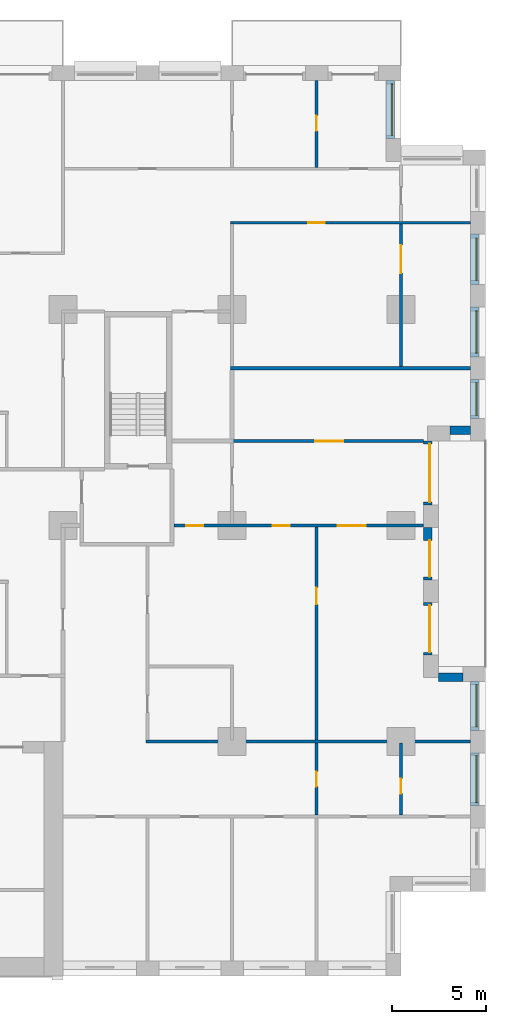
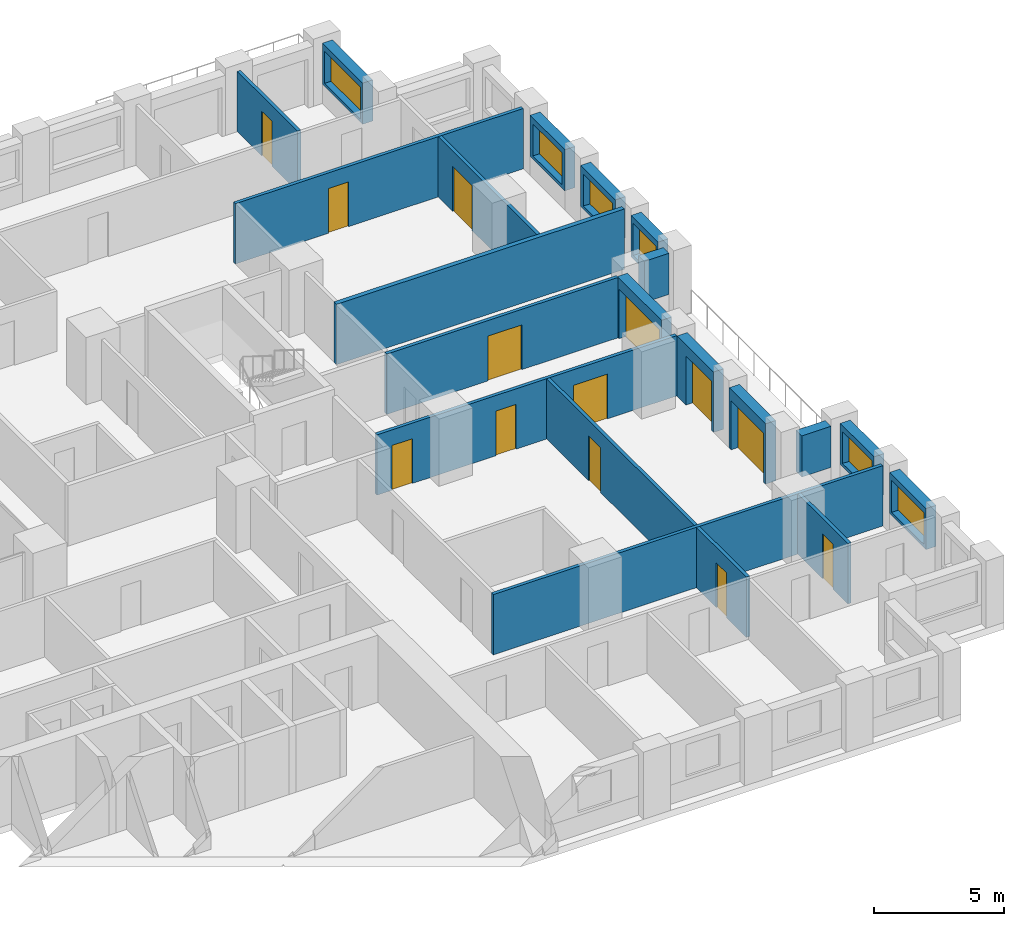
# One storey, part 16 of 19: 21 walls, 13 doors, 6 windows, 19 openings.
"""IFC4 building model written with IfcOpenShell, lengths in metres."""

from ifc_helpers import new_model, si_unit, direction, frame, frame_2d, origin, place, context, subcontext, project, spatial, rectangle, extrude, material, layer, layer_set, type_object, element, fill, save


model = new_model("IFC4")

# Units and contexts
model_context = context("Model", 3, precision=1e-05, world=origin(), true_north=direction((0.0, 1.0)))
body_context = subcontext(model_context, "Body", "Model", "MODEL_VIEW")
ifc_project = project(units=[si_unit("LENGTHUNIT", "METRE"), si_unit("AREAUNIT", "SQUARE_METRE"), si_unit("VOLUMEUNIT", "CUBIC_METRE"), si_unit("PLANEANGLEUNIT", "RADIAN"), si_unit("MASSUNIT", "GRAM", prefix="KILO")], contexts=[model_context])

# Site, building, storey
site_placement = place(None, origin())
site = spatial("IfcSite", under=ifc_project, at=site_placement, CompositionType="ELEMENT")
building_placement = place(site_placement, origin())
building = spatial("IfcBuilding", under=site, at=building_placement, Name="Brigalow Station Residences", CompositionType="ELEMENT")
storey_placement = place(building_placement, frame((0.0, 0.0, 28.949951171875)))
storey = spatial("IfcBuildingStorey", under=building, at=storey_placement, Name="L07", CompositionType="ELEMENT", Elevation=28.949951171875)

# Wall, opening, window
ifc_material_1 = material(Name="Clay brick masonry", Category="masonry")
ifc_layer_1 = layer(ifc_material_1, 0.449951171875)
ifc_layer_set_1 = layer_set([ifc_layer_1], Name="BRICK INFILL WALL 450")
wall_type_1 = type_object("IfcWallType", Name="BRICK INFILL WALL 450", PredefinedType="SOLIDWALL", material=ifc_layer_set_1)
wall_1_placement = place(storey_placement, frame((75.925048828125, 9.10009765625, 0.900146484375), z_axis=(0.0, 0.0, 1.0), x_axis=(0.0, 1.0, 0.0)))
wall_1 = element("IfcWall", 1, at=wall_1_placement, inside=storey, type_object=wall_type_1, Name="L07/ewall/W-L07-12", PredefinedType="SOLIDWALL", context=body_context, shape_type="SweptSolid", body=[
    extrude(rectangle(XDim=2.7998046875, YDim=0.449951171875, at=frame_2d((1.39990234375, 0.0))), origin(), (0.0, 0.0, 1.0), 1.929931640625),
])
opening_1_placement = place(wall_1_placement, frame((0.14990234375, 0.0, 0.14990234375)))
opening_1 = element("IfcOpeningElement", 2, at=opening_1_placement, cuts=wall_1, Name="Opening WT-5", PredefinedType="OPENING", context=body_context, shape_type="SweptSolid", body=[
    extrude(rectangle(XDim=2.5, YDim=1.5, at=frame_2d((1.25, 0.75))), frame((0.0, 0.23486328125, 0.0), z_axis=(0.0, -1.0, 0.0), x_axis=(1.0, 0.0, 0.0)), (0.0, 0.0, 1.0), 0.469970703125),
])
ifc_material_2 = material(Name="Anodised aluminium frame with double glazing", Category="aluminium")
window_type_1 = type_object("IfcWindowType", Name="WINDOW 2500x1500", PartitioningType="SINGLE_PANEL", PredefinedType="WINDOW", material=ifc_material_2)
window_1_placement = place(opening_1_placement, origin())
window_1 = element("IfcWindow", 3, at=window_1_placement, inside=storey, type_object=window_type_1, Name="L07/window/W-L07-12", OverallHeight=1.5, OverallWidth=2.5, PartitioningType="SINGLE_PANEL", PredefinedType="WINDOW", context=body_context, shape_type="SweptSolid", body=[
    extrude(rectangle(XDim=2.5, YDim=1.5, at=frame_2d((1.25, 0.75))), frame((0.0, -0.06494140625, 0.0), z_axis=(0.0, -1.0, 0.0), x_axis=(1.0, 0.0, 0.0)), (0.0, 0.0, 1.0), 0.06005859375),
])
fill(opening_1, window_1)

wall_2_placement = place(storey_placement, frame((75.925048828125, 13.10009765625, 0.900146484375), z_axis=(0.0, 0.0, 1.0), x_axis=(0.0, 1.0, 0.0)))
wall_2 = element("IfcWall", 4, at=wall_2_placement, inside=storey, type_object=wall_type_1, Name="L07/ewall/W-L07-13", PredefinedType="SOLIDWALL", context=body_context, shape_type="SweptSolid", body=[
    extrude(rectangle(XDim=2.599853515625, YDim=0.449951171875, at=frame_2d((1.2998046875, 0.0))), origin(), (0.0, 0.0, 1.0), 1.929931640625),
])
opening_2_placement = place(wall_2_placement, frame((0.175048828125, 0.0, 0.14990234375)))
opening_2 = element("IfcOpeningElement", 5, at=opening_2_placement, cuts=wall_2, Name="Opening WT-6", PredefinedType="OPENING", context=body_context, shape_type="SweptSolid", body=[
    extrude(rectangle(XDim=2.25, YDim=1.5, at=frame_2d((1.125, 0.75))), frame((0.0, 0.23486328125, 0.0), z_axis=(0.0, -1.0, 0.0), x_axis=(1.0, 0.0, 0.0)), (0.0, 0.0, 1.0), 0.469970703125),
])
ifc_material_3 = material(Name="Anodised aluminium frame with double glazing", Category="aluminium")
window_type_2 = type_object("IfcWindowType", Name="WINDOW 2250x1500", PartitioningType="SINGLE_PANEL", PredefinedType="WINDOW", material=ifc_material_3)
window_2_placement = place(opening_2_placement, origin())
window_2 = element("IfcWindow", 6, at=window_2_placement, inside=storey, type_object=window_type_2, Name="L07/window/W-L07-13", OverallHeight=1.5, OverallWidth=2.25, PartitioningType="SINGLE_PANEL", PredefinedType="WINDOW", context=body_context, shape_type="SweptSolid", body=[
    extrude(rectangle(XDim=2.25, YDim=1.5, at=frame_2d((1.125, 0.75))), frame((0.0, -0.06494140625, 0.0), z_axis=(0.0, -1.0, 0.0), x_axis=(1.0, 0.0, 0.0)), (0.0, 0.0, 1.0), 0.06005859375),
])
fill(opening_2, window_2)

# Wall
wall_3_placement = place(storey_placement, frame((75.300048828125, 15.925048828125, 0.900146484375), z_axis=(0.0, 0.0, 1.0), x_axis=(-1.0, 0.0, 0.0)))
element("IfcWall", 7, at=wall_3_placement, inside=storey, type_object=wall_type_1, Name="L07/ewall/W-L07-14", PredefinedType="SOLIDWALL", context=body_context, shape_type="SweptSolid", body=[
    extrude(rectangle(XDim=1.300048828125, YDim=0.449951171875, at=frame_2d((0.64990234375, 0.0))), origin(), (0.0, 0.0, 1.0), 1.929931640625),
])

# Wall, opening, door
wall_4_placement = place(storey_placement, frame((73.425048828125, 17.10009765625, 0.0), z_axis=(0.0, 0.0, 1.0), x_axis=(0.0, 1.0, 0.0)))
wall_4 = element("IfcWall", 8, at=wall_4_placement, inside=storey, type_object=wall_type_1, Name="L07/ewall/W-L07-15", PredefinedType="SOLIDWALL", context=body_context, shape_type="SweptSolid", body=[
    extrude(rectangle(XDim=2.7998046875, YDim=0.449951171875, at=frame_2d((1.39990234375, 0.0))), origin(), (0.0, 0.0, 1.0), 2.830078125),
])
opening_3_placement = place(wall_4_placement, frame((0.14990234375, 0.0, 0.0)))
opening_3 = element("IfcOpeningElement", 9, at=opening_3_placement, cuts=wall_4, Name="Opening D-B2500", PredefinedType="OPENING", context=body_context, shape_type="SweptSolid", body=[
    extrude(rectangle(XDim=2.5, YDim=2.300048828125, at=frame_2d((1.25, 1.14990234375))), frame((0.0, 0.23486328125, 0.0), z_axis=(0.0, -1.0, 0.0), x_axis=(1.0, 0.0, 0.0)), (0.0, 0.0, 1.0), 0.469970703125),
])
ifc_material_4 = material(Name="Anodised aluminium frame with double glazing", Category="aluminium")
door_type_1 = type_object("IfcDoorType", Name="BALCONY SLIDING DOOR 2500x2300", OperationType="SLIDING_TO_LEFT", PredefinedType="DOOR", material=ifc_material_4)
door_1_placement = place(opening_3_placement, origin())
door_1 = element("IfcDoor", 10, at=door_1_placement, inside=storey, type_object=door_type_1, Name="L07/balcony-door/W-L07-15", OperationType="SLIDING_TO_LEFT", OverallHeight=2.300048828125, OverallWidth=2.5, PredefinedType="DOOR", context=body_context, shape_type="SweptSolid", body=[
    extrude(rectangle(XDim=2.5, YDim=2.300048828125, at=frame_2d((1.25, 1.14990234375))), frame((0.0, -0.06982421875, 0.0), z_axis=(0.0, -1.0, 0.0), x_axis=(1.0, 0.0, 0.0)), (0.0, 0.0, 1.0), 0.050048828125),
])
fill(opening_3, door_1)

wall_5_placement = place(storey_placement, frame((73.425048828125, 21.10009765625, 0.0), z_axis=(0.0, 0.0, 1.0), x_axis=(0.0, 1.0, 0.0)))
wall_5 = element("IfcWall", 11, at=wall_5_placement, inside=storey, type_object=wall_type_1, Name="L07/ewall/W-L07-16", PredefinedType="SOLIDWALL", context=body_context, shape_type="SweptSolid", body=[
    extrude(rectangle(XDim=2.7998046875, YDim=0.449951171875, at=frame_2d((1.39990234375, 0.0))), origin(), (0.0, 0.0, 1.0), 2.830078125),
])
opening_4_placement = place(wall_5_placement, frame((0.1650390625, 0.0, 0.0)))
opening_4 = element("IfcOpeningElement", 12, at=opening_4_placement, cuts=wall_5, Name="Opening D-B1950", PredefinedType="OPENING", context=body_context, shape_type="SweptSolid", body=[
    extrude(rectangle(XDim=1.949951171875, YDim=2.300048828125, at=frame_2d((0.97509765625, 1.14990234375))), frame((0.0, 0.23486328125, 0.0), z_axis=(0.0, -1.0, 0.0), x_axis=(1.0, 0.0, 0.0)), (0.0, 0.0, 1.0), 0.469970703125),
])
ifc_material_5 = material(Name="Anodised aluminium frame with double glazing", Category="aluminium")
door_type_2 = type_object("IfcDoorType", Name="BALCONY SLIDING DOOR 1950x2300", OperationType="SLIDING_TO_LEFT", PredefinedType="DOOR", material=ifc_material_5)
door_2_placement = place(opening_4_placement, origin())
door_2 = element("IfcDoor", 13, at=door_2_placement, inside=storey, type_object=door_type_2, Name="L07/balcony-door/W-L07-16", OperationType="SLIDING_TO_LEFT", OverallHeight=2.300048828125, OverallWidth=1.949951171875, PredefinedType="DOOR", context=body_context, shape_type="SweptSolid", body=[
    extrude(rectangle(XDim=1.949951171875, YDim=2.300048828125, at=frame_2d((0.97509765625, 1.14990234375))), frame((0.0, -0.06982421875, 0.0), z_axis=(0.0, -1.0, 0.0), x_axis=(1.0, 0.0, 0.0)), (0.0, 0.0, 1.0), 0.050048828125),
])
fill(opening_4, door_2)

wall_6_placement = place(storey_placement, frame((73.425048828125, 25.10009765625, 0.0), z_axis=(0.0, 0.0, 1.0), x_axis=(0.0, 1.0, 0.0)))
wall_6 = element("IfcWall", 14, at=wall_6_placement, inside=storey, type_object=wall_type_1, Name="L07/ewall/W-L07-17", PredefinedType="SOLIDWALL", context=body_context, shape_type="SweptSolid", body=[
    extrude(rectangle(XDim=3.39990234375, YDim=0.449951171875, at=frame_2d((1.699951171875, 0.0))), origin(), (0.0, 0.0, 1.0), 2.830078125),
])
opening_5_placement = place(wall_6_placement, frame((0.14990234375, 0.0, 0.0)))
opening_5 = element("IfcOpeningElement", 15, at=opening_5_placement, cuts=wall_6, Name="Opening D-B3100", PredefinedType="OPENING", context=body_context, shape_type="SweptSolid", body=[
    extrude(rectangle(XDim=3.10009765625, YDim=2.300048828125, at=frame_2d((1.550048828125, 1.14990234375))), frame((0.0, 0.23486328125, 0.0), z_axis=(0.0, -1.0, 0.0), x_axis=(1.0, 0.0, 0.0)), (0.0, 0.0, 1.0), 0.469970703125),
])
ifc_material_6 = material(Name="Anodised aluminium frame with double glazing", Category="aluminium")
door_type_3 = type_object("IfcDoorType", Name="BALCONY SLIDING DOOR 3100x2300", OperationType="SLIDING_TO_LEFT", PredefinedType="DOOR", material=ifc_material_6)
door_3_placement = place(opening_5_placement, origin())
door_3 = element("IfcDoor", 16, at=door_3_placement, inside=storey, type_object=door_type_3, Name="L07/balcony-door/W-L07-17", OperationType="SLIDING_TO_LEFT", OverallHeight=2.300048828125, OverallWidth=3.10009765625, PredefinedType="DOOR", context=body_context, shape_type="SweptSolid", body=[
    extrude(rectangle(XDim=3.10009765625, YDim=2.300048828125, at=frame_2d((1.550048828125, 1.14990234375))), frame((0.0, -0.06982421875, 0.0), z_axis=(0.0, -1.0, 0.0), x_axis=(1.0, 0.0, 0.0)), (0.0, 0.0, 1.0), 0.050048828125),
])
fill(opening_5, door_3)

# Wall
wall_7_placement = place(storey_placement, frame((74.60009765625, 29.074951171875, 0.900146484375), z_axis=(0.0, 0.0, 1.0), x_axis=(1.0, 0.0, 0.0)))
element("IfcWall", 17, at=wall_7_placement, inside=storey, type_object=wall_type_1, Name="L07/ewall/W-L07-18", PredefinedType="SOLIDWALL", context=body_context, shape_type="SweptSolid", body=[
    extrude(rectangle(XDim=1.099853515625, YDim=0.449951171875, at=frame_2d((0.5498046875, 0.0))), origin(), (0.0, 0.0, 1.0), 1.929931640625),
])

# Wall, opening, window
wall_8_placement = place(storey_placement, frame((75.925048828125, 29.699951171875, 0.900146484375), z_axis=(0.0, 0.0, 1.0), x_axis=(0.0, 1.0, 0.0)))
wall_8 = element("IfcWall", 18, at=wall_8_placement, inside=storey, type_object=wall_type_1, Name="L07/ewall/W-L07-19", PredefinedType="SOLIDWALL", context=body_context, shape_type="SweptSolid", body=[
    extrude(rectangle(XDim=2.074951171875, YDim=0.449951171875, at=frame_2d((1.03759765625, 0.0))), origin(), (0.0, 0.0, 1.0), 1.929931640625),
])
opening_6_placement = place(wall_8_placement, frame((0.16259765625, 0.0, 0.14990234375)))
opening_6 = element("IfcOpeningElement", 19, at=opening_6_placement, cuts=wall_8, Name="Opening WT-4", PredefinedType="OPENING", context=body_context, shape_type="SweptSolid", body=[
    extrude(rectangle(XDim=1.75, YDim=1.5, at=frame_2d((0.875, 0.75))), frame((0.0, 0.23486328125, 0.0), z_axis=(0.0, -1.0, 0.0), x_axis=(1.0, 0.0, 0.0)), (0.0, 0.0, 1.0), 0.469970703125),
])
ifc_material_7 = material(Name="Anodised aluminium frame with double glazing", Category="aluminium")
window_type_3 = type_object("IfcWindowType", Name="WINDOW 1750x1500", PartitioningType="SINGLE_PANEL", PredefinedType="WINDOW", material=ifc_material_7)
window_3_placement = place(opening_6_placement, origin())
window_3 = element("IfcWindow", 20, at=window_3_placement, inside=storey, type_object=window_type_3, Name="L07/window/W-L07-19", OverallHeight=1.5, OverallWidth=1.75, PartitioningType="SINGLE_PANEL", PredefinedType="WINDOW", context=body_context, shape_type="SweptSolid", body=[
    extrude(rectangle(XDim=1.75, YDim=1.5, at=frame_2d((0.875, 0.75))), frame((0.0, -0.06494140625, 0.0), z_axis=(0.0, -1.0, 0.0), x_axis=(1.0, 0.0, 0.0)), (0.0, 0.0, 1.0), 0.06005859375),
])
fill(opening_6, window_3)

wall_9_placement = place(storey_placement, frame((75.925048828125, 32.97509765625, 0.900146484375), z_axis=(0.0, 0.0, 1.0), x_axis=(0.0, 1.0, 0.0)))
wall_9 = element("IfcWall", 21, at=wall_9_placement, inside=storey, type_object=wall_type_1, Name="L07/ewall/W-L07-20", PredefinedType="SOLIDWALL", context=body_context, shape_type="SweptSolid", body=[
    extrude(rectangle(XDim=2.6748046875, YDim=0.449951171875, at=frame_2d((1.33740234375, 0.0))), origin(), (0.0, 0.0, 1.0), 1.929931640625),
])
opening_7_placement = place(wall_9_placement, frame((0.21240234375, 0.0, 0.14990234375)))
opening_7 = element("IfcOpeningElement", 22, at=opening_7_placement, cuts=wall_9, Name="Opening WT-6", PredefinedType="OPENING", context=body_context, shape_type="SweptSolid", body=[
    extrude(rectangle(XDim=2.25, YDim=1.5, at=frame_2d((1.125, 0.75))), frame((0.0, 0.23486328125, 0.0), z_axis=(0.0, -1.0, 0.0), x_axis=(1.0, 0.0, 0.0)), (0.0, 0.0, 1.0), 0.469970703125),
])
window_4_placement = place(opening_7_placement, origin())
window_4 = element("IfcWindow", 23, at=window_4_placement, inside=storey, type_object=window_type_2, Name="L07/window/W-L07-20", OverallHeight=1.5, OverallWidth=2.25, PartitioningType="SINGLE_PANEL", PredefinedType="WINDOW", context=body_context, shape_type="SweptSolid", body=[
    extrude(rectangle(XDim=2.25, YDim=1.5, at=frame_2d((1.125, 0.75))), frame((0.0, -0.06494140625, 0.0), z_axis=(0.0, -1.0, 0.0), x_axis=(1.0, 0.0, 0.0)), (0.0, 0.0, 1.0), 0.06005859375),
])
fill(opening_7, window_4)

wall_10_placement = place(storey_placement, frame((75.925048828125, 36.85009765625, 0.900146484375), z_axis=(0.0, 0.0, 1.0), x_axis=(0.0, 1.0, 0.0)))
wall_10 = element("IfcWall", 24, at=wall_10_placement, inside=storey, type_object=wall_type_1, Name="L07/ewall/W-L07-21", PredefinedType="SOLIDWALL", context=body_context, shape_type="SweptSolid", body=[
    extrude(rectangle(XDim=2.6748046875, YDim=0.449951171875, at=frame_2d((1.33740234375, 0.0))), origin(), (0.0, 0.0, 1.0), 1.929931640625),
])
opening_8_placement = place(wall_10_placement, frame((0.21240234375, 0.0, 0.14990234375)))
opening_8 = element("IfcOpeningElement", 25, at=opening_8_placement, cuts=wall_10, Name="Opening WT-6", PredefinedType="OPENING", context=body_context, shape_type="SweptSolid", body=[
    extrude(rectangle(XDim=2.25, YDim=1.5, at=frame_2d((1.125, 0.75))), frame((0.0, 0.23486328125, 0.0), z_axis=(0.0, -1.0, 0.0), x_axis=(1.0, 0.0, 0.0)), (0.0, 0.0, 1.0), 0.469970703125),
])
window_5_placement = place(opening_8_placement, origin())
window_5 = element("IfcWindow", 26, at=window_5_placement, inside=storey, type_object=window_type_2, Name="L07/window/W-L07-21", OverallHeight=1.5, OverallWidth=2.25, PartitioningType="SINGLE_PANEL", PredefinedType="WINDOW", context=body_context, shape_type="SweptSolid", body=[
    extrude(rectangle(XDim=2.25, YDim=1.5, at=frame_2d((1.125, 0.75))), frame((0.0, -0.06494140625, 0.0), z_axis=(0.0, -1.0, 0.0), x_axis=(1.0, 0.0, 0.0)), (0.0, 0.0, 1.0), 0.06005859375),
])
fill(opening_8, window_5)

wall_11_placement = place(storey_placement, frame((71.425048828125, 44.60009765625, 0.900146484375), z_axis=(0.0, 0.0, 1.0), x_axis=(0.0, 1.0, 0.0)))
wall_11 = element("IfcWall", 27, at=wall_11_placement, inside=storey, type_object=wall_type_1, Name="L07/ewall/W-L07-24", PredefinedType="SOLIDWALL", context=body_context, shape_type="SweptSolid", body=[
    extrude(rectangle(XDim=3.099853515625, YDim=0.449951171875, at=frame_2d((1.5498046875, 0.0))), origin(), (0.0, 0.0, 1.0), 1.929931640625),
])
opening_9_placement = place(wall_11_placement, frame((0.175048828125, 0.0, 0.14990234375)))
opening_9 = element("IfcOpeningElement", 28, at=opening_9_placement, cuts=wall_11, Name="Opening WT-3", PredefinedType="OPENING", context=body_context, shape_type="SweptSolid", body=[
    extrude(rectangle(XDim=2.75, YDim=1.5, at=frame_2d((1.375, 0.75))), frame((0.0, 0.23486328125, 0.0), z_axis=(0.0, -1.0, 0.0), x_axis=(1.0, 0.0, 0.0)), (0.0, 0.0, 1.0), 0.469970703125),
])
ifc_material_8 = material(Name="Anodised aluminium frame with double glazing", Category="aluminium")
window_type_4 = type_object("IfcWindowType", Name="WINDOW 2750x1500", PartitioningType="SINGLE_PANEL", PredefinedType="WINDOW", material=ifc_material_8)
window_6_placement = place(opening_9_placement, origin())
window_6 = element("IfcWindow", 29, at=window_6_placement, inside=storey, type_object=window_type_4, Name="L07/window/W-L07-24", OverallHeight=1.5, OverallWidth=2.75, PartitioningType="SINGLE_PANEL", PredefinedType="WINDOW", context=body_context, shape_type="SweptSolid", body=[
    extrude(rectangle(XDim=2.75, YDim=1.5, at=frame_2d((1.375, 0.75))), frame((0.0, -0.06494140625, 0.0), z_axis=(0.0, -1.0, 0.0), x_axis=(1.0, 0.0, 0.0)), (0.0, 0.0, 1.0), 0.06005859375),
])
fill(opening_9, window_6)

# Wall, openings, doors
ifc_material_9 = material(Name="Plasterboard on steel stud partition", Category="steel")
ifc_layer_2 = layer(ifc_material_9, 0.14990234375)
ifc_layer_set_2 = layer_set([ifc_layer_2], Name="FLAT PARTITION 150")
wall_type_2 = type_object("IfcWallType", Name="FLAT PARTITION 150", PredefinedType="PARTITIONING", material=ifc_layer_set_2)
wall_12_placement = place(storey_placement, frame((59.89990234375, 24.0, 0.0), z_axis=(0.0, 0.0, 1.0), x_axis=(1.0, 0.0, 0.0)))
wall_12 = element("IfcWall", 30, at=wall_12_placement, inside=storey, type_object=wall_type_2, Name="PW-1B03", PredefinedType="PARTITIONING", context=body_context, shape_type="SweptSolid", body=[
    extrude(rectangle(XDim=13.300048828125, YDim=0.14990234375, at=frame_2d((6.64990234375, 0.0))), origin(), (0.0, 0.0, 1.0), 2.830078125),
])
opening_10_placement = place(wall_12_placement, frame((5.27490234375, 0.0, 0.0)))
opening_10 = element("IfcOpeningElement", 31, at=opening_10_placement, cuts=wall_12, Name="Opening D-1B59", PredefinedType="OPENING", context=body_context, shape_type="SweptSolid", body=[
    extrude(rectangle(XDim=0.89990234375, YDim=2.10009765625, at=frame_2d((0.449951171875, 1.050048828125))), frame((0.0, 0.0849609375, 0.0), z_axis=(0.0, -1.0, 0.0), x_axis=(1.0, 0.0, 0.0)), (0.0, 0.0, 1.0), 0.169921875),
])
opening_11_placement = place(wall_12_placement, frame((8.72509765625, 0.0, 0.0)))
opening_11 = element("IfcOpeningElement", 32, at=opening_11_placement, cuts=wall_12, Name="Opening D-1B60", PredefinedType="OPENING", context=body_context, shape_type="SweptSolid", body=[
    extrude(rectangle(XDim=1.5, YDim=2.10009765625, at=frame_2d((0.75, 1.050048828125))), frame((0.0, 0.0849609375, 0.0), z_axis=(0.0, -1.0, 0.0), x_axis=(1.0, 0.0, 0.0)), (0.0, 0.0, 1.0), 0.169921875),
])
opening_12_placement = place(wall_12_placement, frame((0.675048828125, 0.0, 0.0)))
opening_12 = element("IfcOpeningElement", 33, at=opening_12_placement, cuts=wall_12, Name="Opening D-1B67", PredefinedType="OPENING", context=body_context, shape_type="SweptSolid", body=[
    extrude(rectangle(XDim=0.89990234375, YDim=2.10009765625, at=frame_2d((0.449951171875, 1.050048828125))), frame((0.0, 0.0849609375, 0.0), z_axis=(0.0, -1.0, 0.0), x_axis=(1.0, 0.0, 0.0)), (0.0, 0.0, 1.0), 0.169921875),
])
ifc_material_10 = material(Name="Solid-core timber door leaf", Category="wood")
door_type_4 = type_object("IfcDoorType", Name="INTERNAL DOOR 900 x 2100", OperationType="SINGLE_SWING_LEFT", PredefinedType="DOOR", material=ifc_material_10)
door_4_placement = place(opening_10_placement, origin())
door_4 = element("IfcDoor", 34, at=door_4_placement, inside=storey, type_object=door_type_4, Name="D-1B59", OperationType="SINGLE_SWING_LEFT", OverallHeight=2.10009765625, OverallWidth=0.89990234375, PredefinedType="DOOR", context=body_context, shape_type="SweptSolid", body=[
    extrude(rectangle(XDim=0.89990234375, YDim=2.10009765625, at=frame_2d((0.449951171875, 1.050048828125))), frame((0.0, 0.02490234375, 0.0), z_axis=(0.0, -1.0, 0.0), x_axis=(1.0, 0.0, 0.0)), (0.0, 0.0, 1.0), 0.050048828125),
])
fill(opening_10, door_4)
door_5_placement = place(opening_12_placement, origin())
door_5 = element("IfcDoor", 35, at=door_5_placement, inside=storey, type_object=door_type_4, Name="D-1B67", OperationType="SINGLE_SWING_LEFT", OverallHeight=2.10009765625, OverallWidth=0.89990234375, PredefinedType="DOOR", context=body_context, shape_type="SweptSolid", body=[
    extrude(rectangle(XDim=0.89990234375, YDim=2.10009765625, at=frame_2d((0.449951171875, 1.050048828125))), frame((0.0, 0.02490234375, 0.0), z_axis=(0.0, -1.0, 0.0), x_axis=(1.0, 0.0, 0.0)), (0.0, 0.0, 1.0), 0.050048828125),
])
fill(opening_12, door_5)
ifc_material_11 = material(Name="Solid-core timber door leaf", Category="wood")
door_type_5 = type_object("IfcDoorType", Name="INTERNAL DOUBLE DOOR 1500 x 2100", OperationType="DOUBLE_DOOR_SINGLE_SWING", PredefinedType="DOOR", material=ifc_material_11)
door_6_placement = place(opening_11_placement, origin())
door_6 = element("IfcDoor", 36, at=door_6_placement, inside=storey, type_object=door_type_5, Name="D-1B60", OperationType="DOUBLE_DOOR_SINGLE_SWING", OverallHeight=2.10009765625, OverallWidth=1.5, PredefinedType="DOOR", context=body_context, shape_type="SweptSolid", body=[
    extrude(rectangle(XDim=1.5, YDim=2.10009765625, at=frame_2d((0.75, 1.050048828125))), frame((0.0, 0.02490234375, 0.0), z_axis=(0.0, -1.0, 0.0), x_axis=(1.0, 0.0, 0.0)), (0.0, 0.0, 1.0), 0.050048828125),
])
fill(opening_11, door_6)

# Wall
wall_13_placement = place(storey_placement, frame((58.425048828125, 12.5, 0.0), z_axis=(0.0, 0.0, 1.0), x_axis=(1.0, 0.0, 0.0)))
element("IfcWall", 37, at=wall_13_placement, inside=storey, type_object=wall_type_2, Name="PW-1B11", PredefinedType="PARTITIONING", context=body_context, shape_type="SweptSolid", body=[
    extrude(rectangle(XDim=17.27490234375, YDim=0.14990234375, at=frame_2d((8.637451171875, 0.0))), origin(), (0.0, 0.0, 1.0), 2.830078125),
])

# Wall, opening, door
wall_14_placement = place(storey_placement, frame((62.925048828125, 28.5, 0.0), z_axis=(0.0, 0.0, 1.0), x_axis=(1.0, 0.0, 0.0)))
wall_14 = element("IfcWall", 38, at=wall_14_placement, inside=storey, type_object=wall_type_2, Name="PW-1B20", PredefinedType="PARTITIONING", context=body_context, shape_type="SweptSolid", body=[
    extrude(rectangle(XDim=10.27490234375, YDim=0.14990234375, at=frame_2d((5.137451171875, 0.0))), origin(), (0.0, 0.0, 1.0), 2.830078125),
])
opening_13_placement = place(wall_14_placement, frame((4.5, 0.0, 0.0)))
opening_13 = element("IfcOpeningElement", 39, at=opening_13_placement, cuts=wall_14, Name="Opening D-1B58", PredefinedType="OPENING", context=body_context, shape_type="SweptSolid", body=[
    extrude(rectangle(XDim=1.5, YDim=2.10009765625, at=frame_2d((0.75, 1.050048828125))), frame((0.0, 0.0849609375, 0.0), z_axis=(0.0, -1.0, 0.0), x_axis=(1.0, 0.0, 0.0)), (0.0, 0.0, 1.0), 0.169921875),
])
door_7_placement = place(opening_13_placement, frame((1.5, 0.0, 0.0), z_axis=(0.0, 0.0, 1.0), x_axis=(-1.0, 0.0, 0.0)))
door_7 = element("IfcDoor", 40, at=door_7_placement, inside=storey, type_object=door_type_5, Name="D-1B58", OperationType="DOUBLE_DOOR_SINGLE_SWING", OverallHeight=2.10009765625, OverallWidth=1.5, PredefinedType="DOOR", context=body_context, shape_type="SweptSolid", body=[
    extrude(rectangle(XDim=1.5, YDim=2.10009765625, at=frame_2d((0.75, 1.050048828125))), frame((0.0, 0.02490234375, 0.0), z_axis=(0.0, -1.0, 0.0), x_axis=(1.0, 0.0, 0.0)), (0.0, 0.0, 1.0), 0.050048828125),
])
fill(opening_13, door_7)

wall_15_placement = place(storey_placement, frame((62.925048828125, 40.125, 0.0), z_axis=(0.0, 0.0, 1.0), x_axis=(1.0, 0.0, 0.0)))
wall_15 = element("IfcWall", 41, at=wall_15_placement, inside=storey, type_object=wall_type_2, Name="PW-1B31", PredefinedType="PARTITIONING", context=body_context, shape_type="SweptSolid", body=[
    extrude(rectangle(XDim=12.77490234375, YDim=0.14990234375, at=frame_2d((6.387451171875, 0.0))), origin(), (0.0, 0.0, 1.0), 2.830078125),
])
opening_14_placement = place(wall_15_placement, frame((4.125, 0.0, 0.0)))
opening_14 = element("IfcOpeningElement", 42, at=opening_14_placement, cuts=wall_15, Name="Opening D-1B45", PredefinedType="OPENING", context=body_context, shape_type="SweptSolid", body=[
    extrude(rectangle(XDim=0.89990234375, YDim=2.10009765625, at=frame_2d((0.449951171875, 1.050048828125))), frame((0.0, 0.0849609375, 0.0), z_axis=(0.0, -1.0, 0.0), x_axis=(1.0, 0.0, 0.0)), (0.0, 0.0, 1.0), 0.169921875),
])
door_8_placement = place(opening_14_placement, frame((0.89990234375, 0.0, 0.0), z_axis=(0.0, 0.0, 1.0), x_axis=(-1.0, 0.0, 0.0)))
door_8 = element("IfcDoor", 43, at=door_8_placement, inside=storey, type_object=door_type_4, Name="D-1B45", OperationType="SINGLE_SWING_RIGHT", OverallHeight=2.10009765625, OverallWidth=0.89990234375, PredefinedType="DOOR", context=body_context, shape_type="SweptSolid", body=[
    extrude(rectangle(XDim=0.89990234375, YDim=2.10009765625, at=frame_2d((0.449951171875, 1.050048828125))), frame((0.0, 0.02490234375, 0.0), z_axis=(0.0, -1.0, 0.0), x_axis=(1.0, 0.0, 0.0)), (0.0, 0.0, 1.0), 0.050048828125),
])
fill(opening_14, door_8)

wall_16_placement = place(storey_placement, frame((72.0, 8.574951171875, 0.0), z_axis=(0.0, 0.0, 1.0), x_axis=(0.0, 1.0, 0.0)))
wall_16 = element("IfcWall", 44, at=wall_16_placement, inside=storey, type_object=wall_type_2, Name="PW-1B74", PredefinedType="PARTITIONING", context=body_context, shape_type="SweptSolid", body=[
    extrude(rectangle(XDim=3.85009765625, YDim=0.14990234375, at=frame_2d((1.925048828125, 0.0))), origin(), (0.0, 0.0, 1.0), 2.830078125),
])
opening_15_placement = place(wall_16_placement, frame((1.14990234375, 0.0, 0.0)))
opening_15 = element("IfcOpeningElement", 45, at=opening_15_placement, cuts=wall_16, Name="Opening D-1B63", PredefinedType="OPENING", context=body_context, shape_type="SweptSolid", body=[
    extrude(rectangle(XDim=0.800048828125, YDim=2.10009765625, at=frame_2d((0.39990234375, 1.050048828125))), frame((0.0, 0.0849609375, 0.0), z_axis=(0.0, -1.0, 0.0), x_axis=(1.0, 0.0, 0.0)), (0.0, 0.0, 1.0), 0.169921875),
])
ifc_material_12 = material(Name="Solid-core timber door leaf", Category="wood")
door_type_6 = type_object("IfcDoorType", Name="INTERNAL DOOR 800 x 2100", OperationType="SINGLE_SWING_LEFT", PredefinedType="DOOR", material=ifc_material_12)
door_9_placement = place(opening_15_placement, frame((0.800048828125, 0.0, 0.0), z_axis=(0.0, 0.0, 1.0), x_axis=(-1.0, 0.0, 0.0)))
door_9 = element("IfcDoor", 46, at=door_9_placement, inside=storey, type_object=door_type_6, Name="D-1B63", OperationType="SINGLE_SWING_RIGHT", OverallHeight=2.10009765625, OverallWidth=0.800048828125, PredefinedType="DOOR", context=body_context, shape_type="SweptSolid", body=[
    extrude(rectangle(XDim=0.800048828125, YDim=2.10009765625, at=frame_2d((0.39990234375, 1.050048828125))), frame((0.0, 0.02490234375, 0.0), z_axis=(0.0, -1.0, 0.0), x_axis=(1.0, 0.0, 0.0)), (0.0, 0.0, 1.0), 0.050048828125),
])
fill(opening_15, door_9)

wall_17_placement = place(storey_placement, frame((72.0, 32.47509765625, 0.0), z_axis=(0.0, 0.0, 1.0), x_axis=(0.0, 1.0, 0.0)))
wall_17 = element("IfcWall", 47, at=wall_17_placement, inside=storey, type_object=wall_type_2, Name="PW-1B75", PredefinedType="PARTITIONING", context=body_context, shape_type="SweptSolid", body=[
    extrude(rectangle(XDim=7.574951171875, YDim=0.14990234375, at=frame_2d((3.78759765625, 0.0))), origin(), (0.0, 0.0, 1.0), 2.830078125),
])
opening_16_placement = place(wall_17_placement, frame((4.962890625, 0.0, 0.0)))
opening_16 = element("IfcOpeningElement", 48, at=opening_16_placement, cuts=wall_17, Name="Opening D-1B52", PredefinedType="OPENING", context=body_context, shape_type="SweptSolid", body=[
    extrude(rectangle(XDim=1.5, YDim=2.10009765625, at=frame_2d((0.75, 1.050048828125))), frame((0.0, 0.0849609375, 0.0), z_axis=(0.0, -1.0, 0.0), x_axis=(1.0, 0.0, 0.0)), (0.0, 0.0, 1.0), 0.169921875),
])
door_10_placement = place(opening_16_placement, frame((1.5, 0.0, 0.0), z_axis=(0.0, 0.0, 1.0), x_axis=(-1.0, 0.0, 0.0)))
door_10 = element("IfcDoor", 49, at=door_10_placement, inside=storey, type_object=door_type_5, Name="D-1B52", OperationType="DOUBLE_DOOR_SINGLE_SWING", OverallHeight=2.10009765625, OverallWidth=1.5, PredefinedType="DOOR", context=body_context, shape_type="SweptSolid", body=[
    extrude(rectangle(XDim=1.5, YDim=2.10009765625, at=frame_2d((0.75, 1.050048828125))), frame((0.0, 0.02490234375, 0.0), z_axis=(0.0, -1.0, 0.0), x_axis=(1.0, 0.0, 0.0)), (0.0, 0.0, 1.0), 0.050048828125),
])
fill(opening_16, door_10)

wall_18_placement = place(storey_placement, frame((67.5, 8.574951171875, 0.0), z_axis=(0.0, 0.0, 1.0), x_axis=(0.0, 1.0, 0.0)))
wall_18 = element("IfcWall", 50, at=wall_18_placement, inside=storey, type_object=wall_type_2, Name="PW-1B79", PredefinedType="PARTITIONING", context=body_context, shape_type="SweptSolid", body=[
    extrude(rectangle(XDim=3.85009765625, YDim=0.14990234375, at=frame_2d((1.925048828125, 0.0))), origin(), (0.0, 0.0, 1.0), 2.830078125),
])
opening_17_placement = place(wall_18_placement, frame((1.52490234375, 0.0, 0.0)))
opening_17 = element("IfcOpeningElement", 51, at=opening_17_placement, cuts=wall_18, Name="Opening D-1B65", PredefinedType="OPENING", context=body_context, shape_type="SweptSolid", body=[
    extrude(rectangle(XDim=0.800048828125, YDim=2.10009765625, at=frame_2d((0.39990234375, 1.050048828125))), frame((0.0, 0.0849609375, 0.0), z_axis=(0.0, -1.0, 0.0), x_axis=(1.0, 0.0, 0.0)), (0.0, 0.0, 1.0), 0.169921875),
])
door_11_placement = place(opening_17_placement, frame((0.800048828125, 0.0, 0.0), z_axis=(0.0, 0.0, 1.0), x_axis=(-1.0, 0.0, 0.0)))
door_11 = element("IfcDoor", 52, at=door_11_placement, inside=storey, type_object=door_type_6, Name="D-1B65", OperationType="SINGLE_SWING_RIGHT", OverallHeight=2.10009765625, OverallWidth=0.800048828125, PredefinedType="DOOR", context=body_context, shape_type="SweptSolid", body=[
    extrude(rectangle(XDim=0.800048828125, YDim=2.10009765625, at=frame_2d((0.39990234375, 1.050048828125))), frame((0.0, 0.02490234375, 0.0), z_axis=(0.0, -1.0, 0.0), x_axis=(1.0, 0.0, 0.0)), (0.0, 0.0, 1.0), 0.050048828125),
])
fill(opening_17, door_11)

wall_19_placement = place(storey_placement, frame((67.5, 12.574951171875, 0.0), z_axis=(0.0, 0.0, 1.0), x_axis=(0.0, 1.0, 0.0)))
wall_19 = element("IfcWall", 53, at=wall_19_placement, inside=storey, type_object=wall_type_2, Name="PW-1B80", PredefinedType="PARTITIONING", context=body_context, shape_type="SweptSolid", body=[
    extrude(rectangle(XDim=11.35009765625, YDim=0.14990234375, at=frame_2d((5.675048828125, 0.0))), origin(), (0.0, 0.0, 1.0), 2.830078125),
])
opening_18_placement = place(wall_19_placement, frame((7.22509765625, 0.0, 0.0)))
opening_18 = element("IfcOpeningElement", 54, at=opening_18_placement, cuts=wall_19, Name="Opening D-1B66", PredefinedType="OPENING", context=body_context, shape_type="SweptSolid", body=[
    extrude(rectangle(XDim=0.89990234375, YDim=2.10009765625, at=frame_2d((0.449951171875, 1.050048828125))), frame((0.0, 0.0849609375, 0.0), z_axis=(0.0, -1.0, 0.0), x_axis=(1.0, 0.0, 0.0)), (0.0, 0.0, 1.0), 0.169921875),
])
door_12_placement = place(opening_18_placement, frame((0.89990234375, 0.0, 0.0), z_axis=(0.0, 0.0, 1.0), x_axis=(-1.0, 0.0, 0.0)))
door_12 = element("IfcDoor", 55, at=door_12_placement, inside=storey, type_object=door_type_4, Name="D-1B66", OperationType="SINGLE_SWING_LEFT", OverallHeight=2.10009765625, OverallWidth=0.89990234375, PredefinedType="DOOR", context=body_context, shape_type="SweptSolid", body=[
    extrude(rectangle(XDim=0.89990234375, YDim=2.10009765625, at=frame_2d((0.449951171875, 1.050048828125))), frame((0.0, 0.02490234375, 0.0), z_axis=(0.0, -1.0, 0.0), x_axis=(1.0, 0.0, 0.0)), (0.0, 0.0, 1.0), 0.050048828125),
])
fill(opening_18, door_12)

wall_20_placement = place(storey_placement, frame((67.5, 43.074951171875, 0.0), z_axis=(0.0, 0.0, 1.0), x_axis=(0.0, 1.0, 0.0)))
wall_20 = element("IfcWall", 56, at=wall_20_placement, inside=storey, type_object=wall_type_2, Name="PW-1B81", PredefinedType="PARTITIONING", context=body_context, shape_type="SweptSolid", body=[
    extrude(rectangle(XDim=4.625, YDim=0.14990234375, at=frame_2d((2.3125, 0.0))), origin(), (0.0, 0.0, 1.0), 2.830078125),
])
opening_19_placement = place(wall_20_placement, frame((1.949951171875, 0.0, 0.0)))
opening_19 = element("IfcOpeningElement", 57, at=opening_19_placement, cuts=wall_20, Name="Opening D-1B37", PredefinedType="OPENING", context=body_context, shape_type="SweptSolid", body=[
    extrude(rectangle(XDim=0.800048828125, YDim=2.10009765625, at=frame_2d((0.39990234375, 1.050048828125))), frame((0.0, 0.0849609375, 0.0), z_axis=(0.0, -1.0, 0.0), x_axis=(1.0, 0.0, 0.0)), (0.0, 0.0, 1.0), 0.169921875),
])
door_13_placement = place(opening_19_placement, origin())
door_13 = element("IfcDoor", 58, at=door_13_placement, inside=storey, type_object=door_type_6, Name="D-1B37", OperationType="SINGLE_SWING_RIGHT", OverallHeight=2.10009765625, OverallWidth=0.800048828125, PredefinedType="DOOR", context=body_context, shape_type="SweptSolid", body=[
    extrude(rectangle(XDim=0.800048828125, YDim=2.10009765625, at=frame_2d((0.39990234375, 1.050048828125))), frame((0.0, 0.02490234375, 0.0), z_axis=(0.0, -1.0, 0.0), x_axis=(1.0, 0.0, 0.0)), (0.0, 0.0, 1.0), 0.050048828125),
])
fill(opening_19, door_13)

# Wall
ifc_material_13 = material(Name="Plasterboard on steel stud partition", Category="steel")
ifc_layer_3 = layer(ifc_material_13, 0.199951171875)
ifc_layer_set_3 = layer_set([ifc_layer_3], Name="PARTY AND CORRIDOR WALL 200")
wall_type_3 = type_object("IfcWallType", Name="PARTY AND CORRIDOR WALL 200", PredefinedType="PARTITIONING", material=ifc_layer_set_3)
wall_21_placement = place(storey_placement, frame((62.925048828125, 32.375, 0.0), z_axis=(0.0, 0.0, 1.0), x_axis=(1.0, 0.0, 0.0)))
element("IfcWall", 59, at=wall_21_placement, inside=storey, type_object=wall_type_3, Name="PW-1B18", PredefinedType="PARTITIONING", context=body_context, shape_type="SweptSolid", body=[
    extrude(rectangle(XDim=12.77490234375, YDim=0.199951171875, at=frame_2d((6.387451171875, 0.0))), origin(), (0.0, 0.0, 1.0), 2.830078125),
])

save(model, "model.ifc")
